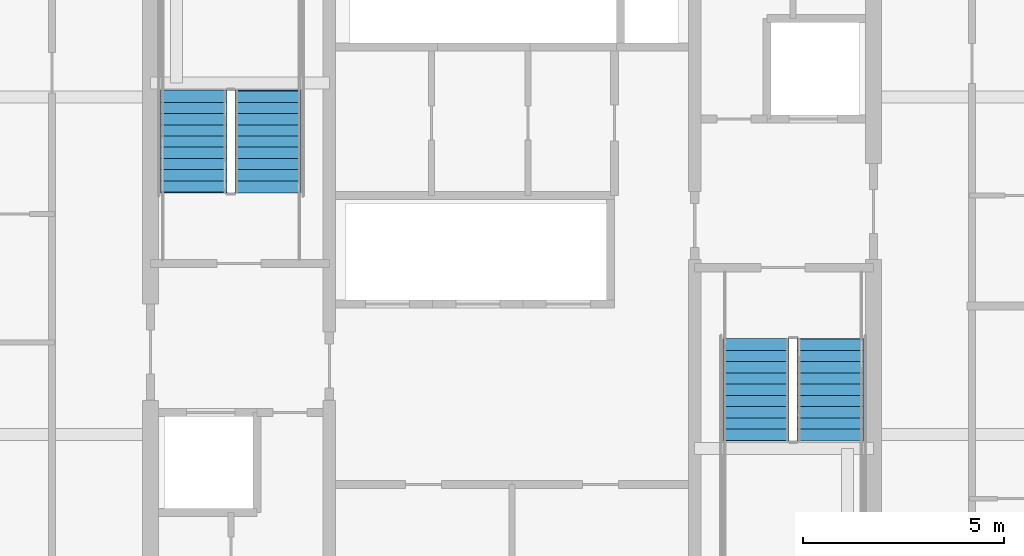
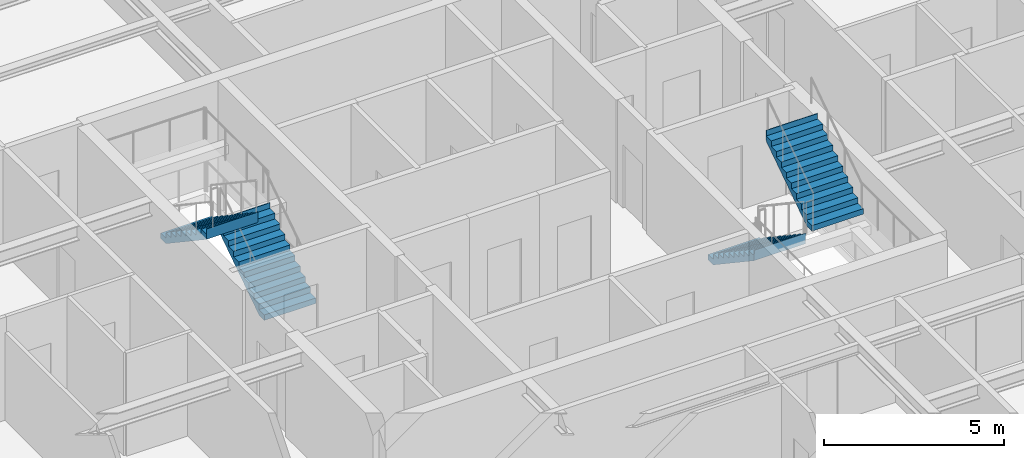
# One storey, part 32 of 37: 4 stair flights, 2 elements without a shape of their own.
"""IFC4 building model written with IfcOpenShell, lengths in metres."""

import ifcopenshell
import ifcopenshell.guid

model = None  # the IFC model being written
_history = None  # IfcOwnerHistory: only IFC2X3 demands one
_inside = {}  # id of a spatial element -> (the spatial element, [elements in it])
_under = {}  # id of a project, library or spatial element -> (it, [spatial elements below it])
_declared = {}  # id of a project -> (the project, [libraries it declares])
_typed = {}  # id of a type object -> (the type object, [elements of that type])
_made_of = {}  # id of a material, layer set ... -> (it, [elements and type objects made of it])


def new_model(schema):
    """Start an empty IFC model of exactly this schema.

    Asked for "IFC4X3", IfcOpenShell would pick the latest addendum, in which some entities
    have other attributes; the version numbers below select the first issue.
    IFC2X3 requires an IfcOwnerHistory on every rooted entity: one is made here for all.
    """
    global model, _history
    if schema == "IFC4X3":
        model = ifcopenshell.file(schema_version=(4, 3, 0, 0))
    else:
        model = ifcopenshell.file(schema=schema)
    _inside.clear()
    _under.clear()
    _declared.clear()
    _typed.clear()
    _made_of.clear()
    _history = None
    if model.schema == "IFC2X3":
        org = make("IfcOrganization", Name="unknown")
        user = make(
            "IfcPersonAndOrganization",
            ThePerson=make("IfcPerson", FamilyName="unknown"),
            TheOrganization=org,
        )
        app = make(
            "IfcApplication",
            ApplicationDeveloper=org,
            Version="unknown",
            ApplicationFullName="unknown",
            ApplicationIdentifier="unknown",
        )
        _history = make(
            "IfcOwnerHistory",
            OwningUser=user,
            OwningApplication=app,
            ChangeAction="ADDED",
            CreationDate=0,
        )
    return model


def make(cls, **values):
    """One entity of the class cls with the attributes given. An attribute that is None is left unset."""
    return model.create_entity(
        cls, **{name: value for name, value in values.items() if value is not None}
    )


def rooted(cls, **values):
    """An entity with a GlobalId (a new one), such as an element, a storey or a relation."""
    return make(cls, GlobalId=ifcopenshell.guid.new(), OwnerHistory=_history, **values)


def si_unit(unit_type, name, prefix=None):
    """IfcSIUnit, for example si_unit("LENGTHUNIT", "METRE", prefix="MILLI")."""
    return make("IfcSIUnit", UnitType=unit_type, Prefix=prefix, Name=name)


def assignment(units):
    """IfcUnitAssignment: the units of a project."""
    return None if units is None else make("IfcUnitAssignment", Units=units)


def point(xyz):
    """IfcCartesianPoint."""
    return None if xyz is None else make("IfcCartesianPoint", Coordinates=xyz)


def direction(xyz):
    """IfcDirection."""
    return None if xyz is None else make("IfcDirection", DirectionRatios=xyz)


def frame(location, z_axis=None, x_axis=None):
    """IfcAxis2Placement3D, a coordinate frame: its origin and axes. An axis left out is left unset."""
    return make(
        "IfcAxis2Placement3D",
        Location=point(location),
        Axis=direction(z_axis),
        RefDirection=direction(x_axis),
    )


def origin():
    """The frame at (0, 0, 0) with its axes left unset."""
    return frame((0.0, 0.0, 0.0))


def place(relative_to, where):
    """IfcLocalPlacement: puts the frame where relative to a parent placement (None: the world)."""
    return make(
        "IfcLocalPlacement", PlacementRelTo=relative_to, RelativePlacement=where
    )


def context(
    kind, dimensions, precision=None, world=None, true_north=None, identifier=None
):
    """IfcGeometricRepresentationContext, for example the 3D "Model" context."""
    return make(
        "IfcGeometricRepresentationContext",
        ContextIdentifier=identifier,
        ContextType=kind,
        CoordinateSpaceDimension=dimensions,
        Precision=precision,
        WorldCoordinateSystem=world,
        TrueNorth=true_north,
    )


def subcontext(parent, identifier, kind, view, scale=None):
    """IfcGeometricRepresentationSubContext, for example "Body" below "Model"."""
    return make(
        "IfcGeometricRepresentationSubContext",
        ContextIdentifier=identifier,
        ContextType=kind,
        ParentContext=parent,
        TargetScale=scale,
        TargetView=view,
    )


def project(units=None, contexts=None):
    """IfcProject with its units and contexts."""
    return rooted(
        "IfcProject",
        Name="project",
        RepresentationContexts=contexts,
        UnitsInContext=assignment(units),
    )


def spatial(cls, under=None, at=None, **own):
    """A site, building, storey or space (cls), placed at a placement, below another one or the project."""
    s = rooted(cls, ObjectPlacement=at, **own)
    if under is not None:
        _under.setdefault(under.id(), (under, []))[1].append(s)
    return s


def point_list(points):
    """IfcCartesianPointList2D or 3D."""
    cls = (
        "IfcCartesianPointList2D" if len(points[0]) == 2 else "IfcCartesianPointList3D"
    )
    return make(cls, CoordList=points)


def polygons(points, faces, closed=None, point_numbers=None):
    """IfcPolygonalFaceSet: a face is its outer loop, then its inner loops; points numbered from 1."""
    made = []
    for loops in faces:
        if len(loops) == 1:
            made.append(make("IfcIndexedPolygonalFace", CoordIndex=loops[0]))
        else:
            made.append(
                make(
                    "IfcIndexedPolygonalFaceWithVoids",
                    CoordIndex=loops[0],
                    InnerCoordIndices=loops[1:],
                )
            )
    return make(
        "IfcPolygonalFaceSet",
        Coordinates=point_list(points),
        Closed=closed,
        Faces=made,
        PnIndex=point_numbers,
    )


def shape(context_of_items, identifier, shape_type, items):
    """IfcShapeRepresentation: the items that make up one representation, for example the "Body"."""
    return make(
        "IfcShapeRepresentation",
        ContextOfItems=context_of_items,
        RepresentationIdentifier=identifier,
        RepresentationType=shape_type,
        Items=items,
    )


def material(Name=None, Category=None):
    """IfcMaterial."""
    return make("IfcMaterial", Name=Name, Category=Category)


def made_of(thing, what):
    """Note that an element or type object is made of a material, layer set ...; save() writes the relation."""
    if what is not None:
        _made_of.setdefault(what.id(), (what, []))[1].append(thing)
    return thing


def type_object(cls, material=None, **own):
    """A type object (cls), such as IfcWallType, which elements share."""
    return made_of(rooted(cls, **own), material)


def element(
    cls,
    number,
    at=None,
    inside=None,
    cuts=None,
    type_object=None,
    material=None,
    context=None,
    identifier="Body",
    shape_type=None,
    held_by="IfcProductDefinitionShape",
    body=None,
    shapes=None,
    **own,
):
    """One element of the class cls, such as IfcWall. Its Tag is "e" and its number.

    at: its placement. inside: the storey or other place that contains it. cuts: it is an
    opening in that element (IfcRelVoidsElement). A single representation is given by context,
    identifier, shape_type and body (its items); several are given by shapes. held_by: the class
    of the entity that holds the representations. save() writes the other relations.
    """
    e = rooted(cls, Tag="e%d" % number, ObjectPlacement=at, **own)
    if body is not None:
        shapes = [shape(context, identifier, shape_type, body)]
    if shapes is not None:
        e.Representation = make(held_by, Representations=shapes)
    if inside is not None:
        _inside.setdefault(inside.id(), (inside, []))[1].append(e)
    if cuts is not None:
        rooted(
            "IfcRelVoidsElement", RelatingBuildingElement=cuts, RelatedOpeningElement=e
        )
    if type_object is not None:
        _typed.setdefault(type_object.id(), (type_object, []))[1].append(e)
    return made_of(e, material)


def aggregate(whole, parts):
    """IfcRelAggregates: a whole, such as a stair, and the parts it consists of."""
    return rooted("IfcRelAggregates", RelatingObject=whole, RelatedObjects=parts)


def save(model, path):
    """Write the relations noted so far, then the file.

    IfcRelAggregates (storeys below a building ...), IfcRelContainedInSpatialStructure (elements
    in a storey), IfcRelDefinesByType, IfcRelAssociatesMaterial and IfcRelDeclares: one each for
    every whole, place, type object, material and project.
    """
    for whole, parts in _under.values():
        aggregate(whole, parts)
    for where, things in _inside.values():
        rooted(
            "IfcRelContainedInSpatialStructure",
            RelatedElements=things,
            RelatingStructure=where,
        )
    for kind, things in _typed.values():
        rooted("IfcRelDefinesByType", RelatedObjects=things, RelatingType=kind)
    for what, things in _made_of.values():
        rooted("IfcRelAssociatesMaterial", RelatedObjects=things, RelatingMaterial=what)
    for by, libraries in _declared.values():
        rooted("IfcRelDeclares", RelatingContext=by, RelatedDefinitions=libraries)
    model.write(path)


model = new_model("IFC4")

# Units and contexts
model_context = context("Model", 3, precision=1e-05, world=origin(), true_north=direction((0.0, 1.0)))
body_context = subcontext(model_context, "Body", "Model", "MODEL_VIEW")
ifc_project = project(units=[si_unit("LENGTHUNIT", "METRE"), si_unit("AREAUNIT", "SQUARE_METRE"), si_unit("VOLUMEUNIT", "CUBIC_METRE"), si_unit("PLANEANGLEUNIT", "RADIAN"), si_unit("MASSUNIT", "GRAM", prefix="KILO")], contexts=[model_context])

# Site, building, storey
site_placement = place(None, origin())
site = spatial("IfcSite", under=ifc_project, at=site_placement, CompositionType="ELEMENT")
building_placement = place(site_placement, origin())
building = spatial("IfcBuilding", under=site, at=building_placement, Name="Serunith Strait Residences", CompositionType="ELEMENT")
storey_placement = place(building_placement, frame((0.0, 0.0, 138.89990234375)))
storey = spatial("IfcBuildingStorey", under=building, at=storey_placement, Name="L34", CompositionType="ELEMENT", Elevation=138.89990234375)

# Stair, stair flights
ifc_material = material(Name="Concrete C50/60", Category="concrete")
stair_type_1 = type_object("IfcStairType", Name="STR-CORE-1", PredefinedType="HALF_TURN_STAIR", material=ifc_material)
stair_1_placement = place(storey_placement, origin())
stair_1 = element("IfcStair", 1, at=stair_1_placement, inside=storey, type_object=stair_type_1, Name="L34 Protected Escape Stair ST-1", PredefinedType="HALF_TURN_STAIR")
stair_flight_type_1 = type_object("IfcStairFlightType", Name="FLT-CORE-1", PredefinedType="STRAIGHT", material=ifc_material)
stair_flight_1_placement = place(storey_placement, frame((26.324951171875, 27.030029296875, 0.0), z_axis=(0.0, 0.0, 1.0), x_axis=(0.0, 1.0, 0.0)))
stair_flight_1 = element("IfcStairFlight", 2, at=stair_flight_1_placement, type_object=stair_flight_type_1, Name="ST-1 flight 1", NumberOfRisers=10, NumberOfTreads=9, PredefinedType="STRAIGHT", RiserHeight=0.1875, TreadLength=0.28, context=body_context, shape_type="Tessellation", body=[
    polygons([(-0.02001953125, -0.824951171875, 0.0), (-0.02001953125, -0.824951171875, 0.1875), (0.280029296875, -0.824951171875, 0.1875), (0.280029296875, -0.824951171875, 0.375), (0.56005859375, -0.824951171875, 0.375), (0.56005859375, -0.824951171875, 0.5625), (0.840087890625, -0.824951171875, 0.5625), (0.840087890625, -0.824951171875, 0.75), (1.1201171875, -0.824951171875, 0.75), (1.1201171875, -0.824951171875, 0.9375), (1.39990234375, -0.824951171875, 0.9375), (1.39990234375, -0.824951171875, 1.125), (1.679931640625, -0.824951171875, 1.125), (1.679931640625, -0.824951171875, 1.3125), (1.9599609375, -0.824951171875, 1.3125), (1.9599609375, -0.824951171875, 1.5), (2.239990234375, -0.824951171875, 1.5), (2.239990234375, -0.824951171875, 1.6875), (2.52001953125, -0.824951171875, 1.6875), (2.52001953125, -0.824951171875, 1.875), (2.5400390625, -0.824951171875, 1.875), (2.5400390625, -0.824951171875, 1.81494140625), (2.52001953125, -0.824951171875, 1.507080078125), (0.26953125, -0.824951171875, 0.0), (-0.02001953125, -0.41259765625, 0.0), (-0.02001953125, -0.41259765625, 0.1875), (0.280029296875, -0.41259765625, 0.1875), (0.280029296875, -0.41259765625, 0.375), (0.56005859375, -0.41259765625, 0.375), (0.56005859375, -0.41259765625, 0.5625), (0.840087890625, -0.41259765625, 0.5625), (0.840087890625, -0.41259765625, 0.75), (1.1201171875, -0.41259765625, 0.75), (1.1201171875, -0.41259765625, 0.9375), (1.39990234375, -0.41259765625, 0.9375), (1.39990234375, -0.41259765625, 1.125), (1.679931640625, -0.41259765625, 1.125), (1.679931640625, -0.41259765625, 1.3125), (1.9599609375, -0.41259765625, 1.3125), (1.9599609375, -0.41259765625, 1.5), (2.239990234375, -0.41259765625, 1.5), (2.239990234375, -0.41259765625, 1.6875), (2.52001953125, -0.41259765625, 1.6875), (2.52001953125, -0.41259765625, 1.875), (2.5400390625, -0.41259765625, 1.875), (2.5400390625, -0.41259765625, 1.81494140625), (2.52001953125, -0.41259765625, 1.507080078125), (0.26953125, -0.41259765625, 0.0), (-0.02001953125, 0.0, 0.0), (-0.02001953125, 0.0, 0.1875), (0.280029296875, 0.0, 0.1875), (0.280029296875, 0.0, 0.375), (0.56005859375, 0.0, 0.375), (0.56005859375, 0.0, 0.5625), (0.840087890625, 0.0, 0.5625), (0.840087890625, 0.0, 0.75), (1.1201171875, 0.0, 0.75), (1.1201171875, 0.0, 0.9375), (1.39990234375, 0.0, 0.9375), (1.39990234375, 0.0, 1.125), (1.679931640625, 0.0, 1.125), (1.679931640625, 0.0, 1.3125), (1.9599609375, 0.0, 1.3125), (1.9599609375, 0.0, 1.5), (2.239990234375, 0.0, 1.5), (2.239990234375, 0.0, 1.6875), (2.52001953125, 0.0, 1.6875), (2.52001953125, 0.0, 1.875), (2.5400390625, 0.0, 1.875), (2.5400390625, 0.0, 1.81494140625), (2.52001953125, 0.0, 1.507080078125), (0.26953125, 0.0, 0.0), (-0.02001953125, 0.41259765625, 0.0), (-0.02001953125, 0.41259765625, 0.1875), (0.280029296875, 0.41259765625, 0.1875), (0.280029296875, 0.41259765625, 0.375), (0.56005859375, 0.41259765625, 0.375), (0.56005859375, 0.41259765625, 0.5625), (0.840087890625, 0.41259765625, 0.5625), (0.840087890625, 0.41259765625, 0.75), (1.1201171875, 0.41259765625, 0.75), (1.1201171875, 0.41259765625, 0.9375), (1.39990234375, 0.41259765625, 0.9375), (1.39990234375, 0.41259765625, 1.125), (1.679931640625, 0.41259765625, 1.125), (1.679931640625, 0.41259765625, 1.3125), (1.9599609375, 0.41259765625, 1.3125), (1.9599609375, 0.41259765625, 1.5), (2.239990234375, 0.41259765625, 1.5), (2.239990234375, 0.41259765625, 1.6875), (2.52001953125, 0.41259765625, 1.6875), (2.52001953125, 0.41259765625, 1.875), (2.5400390625, 0.41259765625, 1.875), (2.5400390625, 0.41259765625, 1.81494140625), (2.52001953125, 0.41259765625, 1.507080078125), (0.26953125, 0.41259765625, 0.0), (-0.02001953125, 0.824951171875, 0.0), (-0.02001953125, 0.824951171875, 0.1875), (0.280029296875, 0.824951171875, 0.1875), (0.280029296875, 0.824951171875, 0.375), (0.56005859375, 0.824951171875, 0.375), (0.56005859375, 0.824951171875, 0.5625), (0.840087890625, 0.824951171875, 0.5625), (0.840087890625, 0.824951171875, 0.75), (1.1201171875, 0.824951171875, 0.75), (1.1201171875, 0.824951171875, 0.9375), (1.39990234375, 0.824951171875, 0.9375), (1.39990234375, 0.824951171875, 1.125), (1.679931640625, 0.824951171875, 1.125), (1.679931640625, 0.824951171875, 1.3125), (1.9599609375, 0.824951171875, 1.3125), (1.9599609375, 0.824951171875, 1.5), (2.239990234375, 0.824951171875, 1.5), (2.239990234375, 0.824951171875, 1.6875), (2.52001953125, 0.824951171875, 1.6875), (2.52001953125, 0.824951171875, 1.875), (2.5400390625, 0.824951171875, 1.875), (2.5400390625, 0.824951171875, 1.81494140625), (2.52001953125, 0.824951171875, 1.507080078125), (0.26953125, 0.824951171875, 0.0)], [[[1, 2, 26, 25]], [[2, 3, 27, 26]], [[3, 4, 28, 27]], [[4, 5, 29, 28]], [[5, 6, 30, 29]], [[6, 7, 31, 30]], [[7, 8, 32, 31]], [[8, 9, 33, 32]], [[9, 10, 34, 33]], [[10, 11, 35, 34]], [[11, 12, 36, 35]], [[12, 13, 37, 36]], [[13, 14, 38, 37]], [[14, 15, 39, 38]], [[15, 16, 40, 39]], [[16, 17, 41, 40]], [[17, 18, 42, 41]], [[18, 19, 43, 42]], [[19, 20, 44, 43]], [[20, 21, 45, 44]], [[21, 22, 46, 45]], [[22, 23, 47, 46]], [[23, 24, 48, 47]], [[24, 1, 25, 48]], [[25, 26, 50, 49]], [[26, 27, 51, 50]], [[27, 28, 52, 51]], [[28, 29, 53, 52]], [[29, 30, 54, 53]], [[30, 31, 55, 54]], [[31, 32, 56, 55]], [[32, 33, 57, 56]], [[33, 34, 58, 57]], [[34, 35, 59, 58]], [[35, 36, 60, 59]], [[36, 37, 61, 60]], [[37, 38, 62, 61]], [[38, 39, 63, 62]], [[39, 40, 64, 63]], [[40, 41, 65, 64]], [[41, 42, 66, 65]], [[42, 43, 67, 66]], [[43, 44, 68, 67]], [[44, 45, 69, 68]], [[45, 46, 70, 69]], [[46, 47, 71, 70]], [[47, 48, 72, 71]], [[48, 25, 49, 72]], [[49, 50, 74, 73]], [[50, 51, 75, 74]], [[51, 52, 76, 75]], [[52, 53, 77, 76]], [[53, 54, 78, 77]], [[54, 55, 79, 78]], [[55, 56, 80, 79]], [[56, 57, 81, 80]], [[57, 58, 82, 81]], [[58, 59, 83, 82]], [[59, 60, 84, 83]], [[60, 61, 85, 84]], [[61, 62, 86, 85]], [[62, 63, 87, 86]], [[63, 64, 88, 87]], [[64, 65, 89, 88]], [[65, 66, 90, 89]], [[66, 67, 91, 90]], [[67, 68, 92, 91]], [[68, 69, 93, 92]], [[69, 70, 94, 93]], [[70, 71, 95, 94]], [[71, 72, 96, 95]], [[72, 49, 73, 96]], [[73, 74, 98, 97]], [[74, 75, 99, 98]], [[75, 76, 100, 99]], [[76, 77, 101, 100]], [[77, 78, 102, 101]], [[78, 79, 103, 102]], [[79, 80, 104, 103]], [[80, 81, 105, 104]], [[81, 82, 106, 105]], [[82, 83, 107, 106]], [[83, 84, 108, 107]], [[84, 85, 109, 108]], [[85, 86, 110, 109]], [[86, 87, 111, 110]], [[87, 88, 112, 111]], [[88, 89, 113, 112]], [[89, 90, 114, 113]], [[90, 91, 115, 114]], [[91, 92, 116, 115]], [[92, 93, 117, 116]], [[93, 94, 118, 117]], [[94, 95, 119, 118]], [[95, 96, 120, 119]], [[96, 73, 97, 120]], [[24, 23, 22, 21, 20, 19, 18, 17, 16, 15, 14, 13, 12, 11, 10, 9, 8, 7, 6, 5, 4, 3, 2, 1]], [[97, 98, 99, 100, 101, 102, 103, 104, 105, 106, 107, 108, 109, 110, 111, 112, 113, 114, 115, 116, 117, 118, 119, 120]]], closed=True),
])
stair_flight_2_placement = place(storey_placement, frame((24.47509765625, 29.550048828125, 1.875), z_axis=(0.0, 0.0, 1.0), x_axis=(0.0, -1.0, 0.0)))
stair_flight_2 = element("IfcStairFlight", 3, at=stair_flight_2_placement, type_object=stair_flight_type_1, Name="ST-1 flight 2", NumberOfRisers=10, NumberOfTreads=9, PredefinedType="STRAIGHT", RiserHeight=0.1875, TreadLength=0.28, context=body_context, shape_type="Tessellation", body=[
    polygons([(-0.02001953125, -0.824951171875, 0.0), (-0.02001953125, -0.824951171875, 0.1875), (0.280029296875, -0.824951171875, 0.1875), (0.280029296875, -0.824951171875, 0.375), (0.56005859375, -0.824951171875, 0.375), (0.56005859375, -0.824951171875, 0.5625), (0.840087890625, -0.824951171875, 0.5625), (0.840087890625, -0.824951171875, 0.75), (1.1201171875, -0.824951171875, 0.75), (1.1201171875, -0.824951171875, 0.9375), (1.39990234375, -0.824951171875, 0.9375), (1.39990234375, -0.824951171875, 1.125), (1.679931640625, -0.824951171875, 1.125), (1.679931640625, -0.824951171875, 1.3125), (1.9599609375, -0.824951171875, 1.3125), (1.9599609375, -0.824951171875, 1.5), (2.239990234375, -0.824951171875, 1.5), (2.239990234375, -0.824951171875, 1.6875), (2.52001953125, -0.824951171875, 1.6875), (2.52001953125, -0.824951171875, 1.875), (2.5400390625, -0.824951171875, 1.875), (2.5400390625, -0.824951171875, 1.81494140625), (2.52001953125, -0.824951171875, 1.507080078125), (0.26953125, -0.824951171875, 0.0), (-0.02001953125, -0.41259765625, 0.0), (-0.02001953125, -0.41259765625, 0.1875), (0.280029296875, -0.41259765625, 0.1875), (0.280029296875, -0.41259765625, 0.375), (0.56005859375, -0.41259765625, 0.375), (0.56005859375, -0.41259765625, 0.5625), (0.840087890625, -0.41259765625, 0.5625), (0.840087890625, -0.41259765625, 0.75), (1.1201171875, -0.41259765625, 0.75), (1.1201171875, -0.41259765625, 0.9375), (1.39990234375, -0.41259765625, 0.9375), (1.39990234375, -0.41259765625, 1.125), (1.679931640625, -0.41259765625, 1.125), (1.679931640625, -0.41259765625, 1.3125), (1.9599609375, -0.41259765625, 1.3125), (1.9599609375, -0.41259765625, 1.5), (2.239990234375, -0.41259765625, 1.5), (2.239990234375, -0.41259765625, 1.6875), (2.52001953125, -0.41259765625, 1.6875), (2.52001953125, -0.41259765625, 1.875), (2.5400390625, -0.41259765625, 1.875), (2.5400390625, -0.41259765625, 1.81494140625), (2.52001953125, -0.41259765625, 1.507080078125), (0.26953125, -0.41259765625, 0.0), (-0.02001953125, 0.0, 0.0), (-0.02001953125, 0.0, 0.1875), (0.280029296875, 0.0, 0.1875), (0.280029296875, 0.0, 0.375), (0.56005859375, 0.0, 0.375), (0.56005859375, 0.0, 0.5625), (0.840087890625, 0.0, 0.5625), (0.840087890625, 0.0, 0.75), (1.1201171875, 0.0, 0.75), (1.1201171875, 0.0, 0.9375), (1.39990234375, 0.0, 0.9375), (1.39990234375, 0.0, 1.125), (1.679931640625, 0.0, 1.125), (1.679931640625, 0.0, 1.3125), (1.9599609375, 0.0, 1.3125), (1.9599609375, 0.0, 1.5), (2.239990234375, 0.0, 1.5), (2.239990234375, 0.0, 1.6875), (2.52001953125, 0.0, 1.6875), (2.52001953125, 0.0, 1.875), (2.5400390625, 0.0, 1.875), (2.5400390625, 0.0, 1.81494140625), (2.52001953125, 0.0, 1.507080078125), (0.26953125, 0.0, 0.0), (-0.02001953125, 0.41259765625, 0.0), (-0.02001953125, 0.41259765625, 0.1875), (0.280029296875, 0.41259765625, 0.1875), (0.280029296875, 0.41259765625, 0.375), (0.56005859375, 0.41259765625, 0.375), (0.56005859375, 0.41259765625, 0.5625), (0.840087890625, 0.41259765625, 0.5625), (0.840087890625, 0.41259765625, 0.75), (1.1201171875, 0.41259765625, 0.75), (1.1201171875, 0.41259765625, 0.9375), (1.39990234375, 0.41259765625, 0.9375), (1.39990234375, 0.41259765625, 1.125), (1.679931640625, 0.41259765625, 1.125), (1.679931640625, 0.41259765625, 1.3125), (1.9599609375, 0.41259765625, 1.3125), (1.9599609375, 0.41259765625, 1.5), (2.239990234375, 0.41259765625, 1.5), (2.239990234375, 0.41259765625, 1.6875), (2.52001953125, 0.41259765625, 1.6875), (2.52001953125, 0.41259765625, 1.875), (2.5400390625, 0.41259765625, 1.875), (2.5400390625, 0.41259765625, 1.81494140625), (2.52001953125, 0.41259765625, 1.507080078125), (0.26953125, 0.41259765625, 0.0), (-0.02001953125, 0.824951171875, 0.0), (-0.02001953125, 0.824951171875, 0.1875), (0.280029296875, 0.824951171875, 0.1875), (0.280029296875, 0.824951171875, 0.375), (0.56005859375, 0.824951171875, 0.375), (0.56005859375, 0.824951171875, 0.5625), (0.840087890625, 0.824951171875, 0.5625), (0.840087890625, 0.824951171875, 0.75), (1.1201171875, 0.824951171875, 0.75), (1.1201171875, 0.824951171875, 0.9375), (1.39990234375, 0.824951171875, 0.9375), (1.39990234375, 0.824951171875, 1.125), (1.679931640625, 0.824951171875, 1.125), (1.679931640625, 0.824951171875, 1.3125), (1.9599609375, 0.824951171875, 1.3125), (1.9599609375, 0.824951171875, 1.5), (2.239990234375, 0.824951171875, 1.5), (2.239990234375, 0.824951171875, 1.6875), (2.52001953125, 0.824951171875, 1.6875), (2.52001953125, 0.824951171875, 1.875), (2.5400390625, 0.824951171875, 1.875), (2.5400390625, 0.824951171875, 1.81494140625), (2.52001953125, 0.824951171875, 1.507080078125), (0.26953125, 0.824951171875, 0.0)], [[[1, 2, 26, 25]], [[2, 3, 27, 26]], [[3, 4, 28, 27]], [[4, 5, 29, 28]], [[5, 6, 30, 29]], [[6, 7, 31, 30]], [[7, 8, 32, 31]], [[8, 9, 33, 32]], [[9, 10, 34, 33]], [[10, 11, 35, 34]], [[11, 12, 36, 35]], [[12, 13, 37, 36]], [[13, 14, 38, 37]], [[14, 15, 39, 38]], [[15, 16, 40, 39]], [[16, 17, 41, 40]], [[17, 18, 42, 41]], [[18, 19, 43, 42]], [[19, 20, 44, 43]], [[20, 21, 45, 44]], [[21, 22, 46, 45]], [[22, 23, 47, 46]], [[23, 24, 48, 47]], [[24, 1, 25, 48]], [[25, 26, 50, 49]], [[26, 27, 51, 50]], [[27, 28, 52, 51]], [[28, 29, 53, 52]], [[29, 30, 54, 53]], [[30, 31, 55, 54]], [[31, 32, 56, 55]], [[32, 33, 57, 56]], [[33, 34, 58, 57]], [[34, 35, 59, 58]], [[35, 36, 60, 59]], [[36, 37, 61, 60]], [[37, 38, 62, 61]], [[38, 39, 63, 62]], [[39, 40, 64, 63]], [[40, 41, 65, 64]], [[41, 42, 66, 65]], [[42, 43, 67, 66]], [[43, 44, 68, 67]], [[44, 45, 69, 68]], [[45, 46, 70, 69]], [[46, 47, 71, 70]], [[47, 48, 72, 71]], [[48, 25, 49, 72]], [[49, 50, 74, 73]], [[50, 51, 75, 74]], [[51, 52, 76, 75]], [[52, 53, 77, 76]], [[53, 54, 78, 77]], [[54, 55, 79, 78]], [[55, 56, 80, 79]], [[56, 57, 81, 80]], [[57, 58, 82, 81]], [[58, 59, 83, 82]], [[59, 60, 84, 83]], [[60, 61, 85, 84]], [[61, 62, 86, 85]], [[62, 63, 87, 86]], [[63, 64, 88, 87]], [[64, 65, 89, 88]], [[65, 66, 90, 89]], [[66, 67, 91, 90]], [[67, 68, 92, 91]], [[68, 69, 93, 92]], [[69, 70, 94, 93]], [[70, 71, 95, 94]], [[71, 72, 96, 95]], [[72, 49, 73, 96]], [[73, 74, 98, 97]], [[74, 75, 99, 98]], [[75, 76, 100, 99]], [[76, 77, 101, 100]], [[77, 78, 102, 101]], [[78, 79, 103, 102]], [[79, 80, 104, 103]], [[80, 81, 105, 104]], [[81, 82, 106, 105]], [[82, 83, 107, 106]], [[83, 84, 108, 107]], [[84, 85, 109, 108]], [[85, 86, 110, 109]], [[86, 87, 111, 110]], [[87, 88, 112, 111]], [[88, 89, 113, 112]], [[89, 90, 114, 113]], [[90, 91, 115, 114]], [[91, 92, 116, 115]], [[92, 93, 117, 116]], [[93, 94, 118, 117]], [[94, 95, 119, 118]], [[95, 96, 120, 119]], [[96, 73, 97, 120]], [[24, 23, 22, 21, 20, 19, 18, 17, 16, 15, 14, 13, 12, 11, 10, 9, 8, 7, 6, 5, 4, 3, 2, 1]], [[97, 98, 99, 100, 101, 102, 103, 104, 105, 106, 107, 108, 109, 110, 111, 112, 113, 114, 115, 116, 117, 118, 119, 120]]], closed=True),
])
aggregate(stair_1, [stair_flight_1, stair_flight_2])

stair_type_2 = type_object("IfcStairType", Name="STR-CORE-2", PredefinedType="HALF_TURN_STAIR", material=ifc_material)
stair_2_placement = place(storey_placement, origin())
stair_2 = element("IfcStair", 4, at=stair_2_placement, inside=storey, type_object=stair_type_2, Name="L34 Protected Escape Stair ST-2", PredefinedType="HALF_TURN_STAIR")
stair_flight_type_2 = type_object("IfcStairFlightType", Name="FLT-CORE-2", PredefinedType="STRAIGHT", material=ifc_material)
stair_flight_3_placement = place(storey_placement, frame((38.47509765625, 23.3701171875, 0.0), z_axis=(0.0, 0.0, 1.0), x_axis=(0.0, -1.0, 0.0)))
stair_flight_3 = element("IfcStairFlight", 5, at=stair_flight_3_placement, type_object=stair_flight_type_2, Name="ST-2 flight 1", NumberOfRisers=10, NumberOfTreads=9, PredefinedType="STRAIGHT", RiserHeight=0.1875, TreadLength=0.28, context=body_context, shape_type="Tessellation", body=[
    polygons([(-0.02001953125, -0.824951171875, 0.0), (-0.02001953125, -0.824951171875, 0.1875), (0.280029296875, -0.824951171875, 0.1875), (0.280029296875, -0.824951171875, 0.375), (0.56005859375, -0.824951171875, 0.375), (0.56005859375, -0.824951171875, 0.5625), (0.840087890625, -0.824951171875, 0.5625), (0.840087890625, -0.824951171875, 0.75), (1.1201171875, -0.824951171875, 0.75), (1.1201171875, -0.824951171875, 0.9375), (1.39990234375, -0.824951171875, 0.9375), (1.39990234375, -0.824951171875, 1.125), (1.679931640625, -0.824951171875, 1.125), (1.679931640625, -0.824951171875, 1.3125), (1.9599609375, -0.824951171875, 1.3125), (1.9599609375, -0.824951171875, 1.5), (2.239990234375, -0.824951171875, 1.5), (2.239990234375, -0.824951171875, 1.6875), (2.52001953125, -0.824951171875, 1.6875), (2.52001953125, -0.824951171875, 1.875), (2.5400390625, -0.824951171875, 1.875), (2.5400390625, -0.824951171875, 1.81494140625), (2.52001953125, -0.824951171875, 1.507080078125), (0.26953125, -0.824951171875, 0.0), (-0.02001953125, -0.41259765625, 0.0), (-0.02001953125, -0.41259765625, 0.1875), (0.280029296875, -0.41259765625, 0.1875), (0.280029296875, -0.41259765625, 0.375), (0.56005859375, -0.41259765625, 0.375), (0.56005859375, -0.41259765625, 0.5625), (0.840087890625, -0.41259765625, 0.5625), (0.840087890625, -0.41259765625, 0.75), (1.1201171875, -0.41259765625, 0.75), (1.1201171875, -0.41259765625, 0.9375), (1.39990234375, -0.41259765625, 0.9375), (1.39990234375, -0.41259765625, 1.125), (1.679931640625, -0.41259765625, 1.125), (1.679931640625, -0.41259765625, 1.3125), (1.9599609375, -0.41259765625, 1.3125), (1.9599609375, -0.41259765625, 1.5), (2.239990234375, -0.41259765625, 1.5), (2.239990234375, -0.41259765625, 1.6875), (2.52001953125, -0.41259765625, 1.6875), (2.52001953125, -0.41259765625, 1.875), (2.5400390625, -0.41259765625, 1.875), (2.5400390625, -0.41259765625, 1.81494140625), (2.52001953125, -0.41259765625, 1.507080078125), (0.26953125, -0.41259765625, 0.0), (-0.02001953125, 0.0, 0.0), (-0.02001953125, 0.0, 0.1875), (0.280029296875, 0.0, 0.1875), (0.280029296875, 0.0, 0.375), (0.56005859375, 0.0, 0.375), (0.56005859375, 0.0, 0.5625), (0.840087890625, 0.0, 0.5625), (0.840087890625, 0.0, 0.75), (1.1201171875, 0.0, 0.75), (1.1201171875, 0.0, 0.9375), (1.39990234375, 0.0, 0.9375), (1.39990234375, 0.0, 1.125), (1.679931640625, 0.0, 1.125), (1.679931640625, 0.0, 1.3125), (1.9599609375, 0.0, 1.3125), (1.9599609375, 0.0, 1.5), (2.239990234375, 0.0, 1.5), (2.239990234375, 0.0, 1.6875), (2.52001953125, 0.0, 1.6875), (2.52001953125, 0.0, 1.875), (2.5400390625, 0.0, 1.875), (2.5400390625, 0.0, 1.81494140625), (2.52001953125, 0.0, 1.507080078125), (0.26953125, 0.0, 0.0), (-0.02001953125, 0.41259765625, 0.0), (-0.02001953125, 0.41259765625, 0.1875), (0.280029296875, 0.41259765625, 0.1875), (0.280029296875, 0.41259765625, 0.375), (0.56005859375, 0.41259765625, 0.375), (0.56005859375, 0.41259765625, 0.5625), (0.840087890625, 0.41259765625, 0.5625), (0.840087890625, 0.41259765625, 0.75), (1.1201171875, 0.41259765625, 0.75), (1.1201171875, 0.41259765625, 0.9375), (1.39990234375, 0.41259765625, 0.9375), (1.39990234375, 0.41259765625, 1.125), (1.679931640625, 0.41259765625, 1.125), (1.679931640625, 0.41259765625, 1.3125), (1.9599609375, 0.41259765625, 1.3125), (1.9599609375, 0.41259765625, 1.5), (2.239990234375, 0.41259765625, 1.5), (2.239990234375, 0.41259765625, 1.6875), (2.52001953125, 0.41259765625, 1.6875), (2.52001953125, 0.41259765625, 1.875), (2.5400390625, 0.41259765625, 1.875), (2.5400390625, 0.41259765625, 1.81494140625), (2.52001953125, 0.41259765625, 1.507080078125), (0.26953125, 0.41259765625, 0.0), (-0.02001953125, 0.824951171875, 0.0), (-0.02001953125, 0.824951171875, 0.1875), (0.280029296875, 0.824951171875, 0.1875), (0.280029296875, 0.824951171875, 0.375), (0.56005859375, 0.824951171875, 0.375), (0.56005859375, 0.824951171875, 0.5625), (0.840087890625, 0.824951171875, 0.5625), (0.840087890625, 0.824951171875, 0.75), (1.1201171875, 0.824951171875, 0.75), (1.1201171875, 0.824951171875, 0.9375), (1.39990234375, 0.824951171875, 0.9375), (1.39990234375, 0.824951171875, 1.125), (1.679931640625, 0.824951171875, 1.125), (1.679931640625, 0.824951171875, 1.3125), (1.9599609375, 0.824951171875, 1.3125), (1.9599609375, 0.824951171875, 1.5), (2.239990234375, 0.824951171875, 1.5), (2.239990234375, 0.824951171875, 1.6875), (2.52001953125, 0.824951171875, 1.6875), (2.52001953125, 0.824951171875, 1.875), (2.5400390625, 0.824951171875, 1.875), (2.5400390625, 0.824951171875, 1.81494140625), (2.52001953125, 0.824951171875, 1.507080078125), (0.26953125, 0.824951171875, 0.0)], [[[1, 2, 26, 25]], [[2, 3, 27, 26]], [[3, 4, 28, 27]], [[4, 5, 29, 28]], [[5, 6, 30, 29]], [[6, 7, 31, 30]], [[7, 8, 32, 31]], [[8, 9, 33, 32]], [[9, 10, 34, 33]], [[10, 11, 35, 34]], [[11, 12, 36, 35]], [[12, 13, 37, 36]], [[13, 14, 38, 37]], [[14, 15, 39, 38]], [[15, 16, 40, 39]], [[16, 17, 41, 40]], [[17, 18, 42, 41]], [[18, 19, 43, 42]], [[19, 20, 44, 43]], [[20, 21, 45, 44]], [[21, 22, 46, 45]], [[22, 23, 47, 46]], [[23, 24, 48, 47]], [[24, 1, 25, 48]], [[25, 26, 50, 49]], [[26, 27, 51, 50]], [[27, 28, 52, 51]], [[28, 29, 53, 52]], [[29, 30, 54, 53]], [[30, 31, 55, 54]], [[31, 32, 56, 55]], [[32, 33, 57, 56]], [[33, 34, 58, 57]], [[34, 35, 59, 58]], [[35, 36, 60, 59]], [[36, 37, 61, 60]], [[37, 38, 62, 61]], [[38, 39, 63, 62]], [[39, 40, 64, 63]], [[40, 41, 65, 64]], [[41, 42, 66, 65]], [[42, 43, 67, 66]], [[43, 44, 68, 67]], [[44, 45, 69, 68]], [[45, 46, 70, 69]], [[46, 47, 71, 70]], [[47, 48, 72, 71]], [[48, 25, 49, 72]], [[49, 50, 74, 73]], [[50, 51, 75, 74]], [[51, 52, 76, 75]], [[52, 53, 77, 76]], [[53, 54, 78, 77]], [[54, 55, 79, 78]], [[55, 56, 80, 79]], [[56, 57, 81, 80]], [[57, 58, 82, 81]], [[58, 59, 83, 82]], [[59, 60, 84, 83]], [[60, 61, 85, 84]], [[61, 62, 86, 85]], [[62, 63, 87, 86]], [[63, 64, 88, 87]], [[64, 65, 89, 88]], [[65, 66, 90, 89]], [[66, 67, 91, 90]], [[67, 68, 92, 91]], [[68, 69, 93, 92]], [[69, 70, 94, 93]], [[70, 71, 95, 94]], [[71, 72, 96, 95]], [[72, 49, 73, 96]], [[73, 74, 98, 97]], [[74, 75, 99, 98]], [[75, 76, 100, 99]], [[76, 77, 101, 100]], [[77, 78, 102, 101]], [[78, 79, 103, 102]], [[79, 80, 104, 103]], [[80, 81, 105, 104]], [[81, 82, 106, 105]], [[82, 83, 107, 106]], [[83, 84, 108, 107]], [[84, 85, 109, 108]], [[85, 86, 110, 109]], [[86, 87, 111, 110]], [[87, 88, 112, 111]], [[88, 89, 113, 112]], [[89, 90, 114, 113]], [[90, 91, 115, 114]], [[91, 92, 116, 115]], [[92, 93, 117, 116]], [[93, 94, 118, 117]], [[94, 95, 119, 118]], [[95, 96, 120, 119]], [[96, 73, 97, 120]], [[24, 23, 22, 21, 20, 19, 18, 17, 16, 15, 14, 13, 12, 11, 10, 9, 8, 7, 6, 5, 4, 3, 2, 1]], [[97, 98, 99, 100, 101, 102, 103, 104, 105, 106, 107, 108, 109, 110, 111, 112, 113, 114, 115, 116, 117, 118, 119, 120]]], closed=True),
])
stair_flight_4_placement = place(storey_placement, frame((40.324951171875, 20.85009765625, 1.875), z_axis=(0.0, 0.0, 1.0), x_axis=(0.0, 1.0, 0.0)))
stair_flight_4 = element("IfcStairFlight", 6, at=stair_flight_4_placement, type_object=stair_flight_type_2, Name="ST-2 flight 2", NumberOfRisers=10, NumberOfTreads=9, PredefinedType="STRAIGHT", RiserHeight=0.1875, TreadLength=0.28, context=body_context, shape_type="Tessellation", body=[
    polygons([(-0.02001953125, -0.824951171875, 0.0), (-0.02001953125, -0.824951171875, 0.1875), (0.280029296875, -0.824951171875, 0.1875), (0.280029296875, -0.824951171875, 0.375), (0.56005859375, -0.824951171875, 0.375), (0.56005859375, -0.824951171875, 0.5625), (0.840087890625, -0.824951171875, 0.5625), (0.840087890625, -0.824951171875, 0.75), (1.1201171875, -0.824951171875, 0.75), (1.1201171875, -0.824951171875, 0.9375), (1.39990234375, -0.824951171875, 0.9375), (1.39990234375, -0.824951171875, 1.125), (1.679931640625, -0.824951171875, 1.125), (1.679931640625, -0.824951171875, 1.3125), (1.9599609375, -0.824951171875, 1.3125), (1.9599609375, -0.824951171875, 1.5), (2.239990234375, -0.824951171875, 1.5), (2.239990234375, -0.824951171875, 1.6875), (2.52001953125, -0.824951171875, 1.6875), (2.52001953125, -0.824951171875, 1.875), (2.5400390625, -0.824951171875, 1.875), (2.5400390625, -0.824951171875, 1.81494140625), (2.52001953125, -0.824951171875, 1.507080078125), (0.26953125, -0.824951171875, 0.0), (-0.02001953125, -0.41259765625, 0.0), (-0.02001953125, -0.41259765625, 0.1875), (0.280029296875, -0.41259765625, 0.1875), (0.280029296875, -0.41259765625, 0.375), (0.56005859375, -0.41259765625, 0.375), (0.56005859375, -0.41259765625, 0.5625), (0.840087890625, -0.41259765625, 0.5625), (0.840087890625, -0.41259765625, 0.75), (1.1201171875, -0.41259765625, 0.75), (1.1201171875, -0.41259765625, 0.9375), (1.39990234375, -0.41259765625, 0.9375), (1.39990234375, -0.41259765625, 1.125), (1.679931640625, -0.41259765625, 1.125), (1.679931640625, -0.41259765625, 1.3125), (1.9599609375, -0.41259765625, 1.3125), (1.9599609375, -0.41259765625, 1.5), (2.239990234375, -0.41259765625, 1.5), (2.239990234375, -0.41259765625, 1.6875), (2.52001953125, -0.41259765625, 1.6875), (2.52001953125, -0.41259765625, 1.875), (2.5400390625, -0.41259765625, 1.875), (2.5400390625, -0.41259765625, 1.81494140625), (2.52001953125, -0.41259765625, 1.507080078125), (0.26953125, -0.41259765625, 0.0), (-0.02001953125, 0.0, 0.0), (-0.02001953125, 0.0, 0.1875), (0.280029296875, 0.0, 0.1875), (0.280029296875, 0.0, 0.375), (0.56005859375, 0.0, 0.375), (0.56005859375, 0.0, 0.5625), (0.840087890625, 0.0, 0.5625), (0.840087890625, 0.0, 0.75), (1.1201171875, 0.0, 0.75), (1.1201171875, 0.0, 0.9375), (1.39990234375, 0.0, 0.9375), (1.39990234375, 0.0, 1.125), (1.679931640625, 0.0, 1.125), (1.679931640625, 0.0, 1.3125), (1.9599609375, 0.0, 1.3125), (1.9599609375, 0.0, 1.5), (2.239990234375, 0.0, 1.5), (2.239990234375, 0.0, 1.6875), (2.52001953125, 0.0, 1.6875), (2.52001953125, 0.0, 1.875), (2.5400390625, 0.0, 1.875), (2.5400390625, 0.0, 1.81494140625), (2.52001953125, 0.0, 1.507080078125), (0.26953125, 0.0, 0.0), (-0.02001953125, 0.41259765625, 0.0), (-0.02001953125, 0.41259765625, 0.1875), (0.280029296875, 0.41259765625, 0.1875), (0.280029296875, 0.41259765625, 0.375), (0.56005859375, 0.41259765625, 0.375), (0.56005859375, 0.41259765625, 0.5625), (0.840087890625, 0.41259765625, 0.5625), (0.840087890625, 0.41259765625, 0.75), (1.1201171875, 0.41259765625, 0.75), (1.1201171875, 0.41259765625, 0.9375), (1.39990234375, 0.41259765625, 0.9375), (1.39990234375, 0.41259765625, 1.125), (1.679931640625, 0.41259765625, 1.125), (1.679931640625, 0.41259765625, 1.3125), (1.9599609375, 0.41259765625, 1.3125), (1.9599609375, 0.41259765625, 1.5), (2.239990234375, 0.41259765625, 1.5), (2.239990234375, 0.41259765625, 1.6875), (2.52001953125, 0.41259765625, 1.6875), (2.52001953125, 0.41259765625, 1.875), (2.5400390625, 0.41259765625, 1.875), (2.5400390625, 0.41259765625, 1.81494140625), (2.52001953125, 0.41259765625, 1.507080078125), (0.26953125, 0.41259765625, 0.0), (-0.02001953125, 0.824951171875, 0.0), (-0.02001953125, 0.824951171875, 0.1875), (0.280029296875, 0.824951171875, 0.1875), (0.280029296875, 0.824951171875, 0.375), (0.56005859375, 0.824951171875, 0.375), (0.56005859375, 0.824951171875, 0.5625), (0.840087890625, 0.824951171875, 0.5625), (0.840087890625, 0.824951171875, 0.75), (1.1201171875, 0.824951171875, 0.75), (1.1201171875, 0.824951171875, 0.9375), (1.39990234375, 0.824951171875, 0.9375), (1.39990234375, 0.824951171875, 1.125), (1.679931640625, 0.824951171875, 1.125), (1.679931640625, 0.824951171875, 1.3125), (1.9599609375, 0.824951171875, 1.3125), (1.9599609375, 0.824951171875, 1.5), (2.239990234375, 0.824951171875, 1.5), (2.239990234375, 0.824951171875, 1.6875), (2.52001953125, 0.824951171875, 1.6875), (2.52001953125, 0.824951171875, 1.875), (2.5400390625, 0.824951171875, 1.875), (2.5400390625, 0.824951171875, 1.81494140625), (2.52001953125, 0.824951171875, 1.507080078125), (0.26953125, 0.824951171875, 0.0)], [[[1, 2, 26, 25]], [[2, 3, 27, 26]], [[3, 4, 28, 27]], [[4, 5, 29, 28]], [[5, 6, 30, 29]], [[6, 7, 31, 30]], [[7, 8, 32, 31]], [[8, 9, 33, 32]], [[9, 10, 34, 33]], [[10, 11, 35, 34]], [[11, 12, 36, 35]], [[12, 13, 37, 36]], [[13, 14, 38, 37]], [[14, 15, 39, 38]], [[15, 16, 40, 39]], [[16, 17, 41, 40]], [[17, 18, 42, 41]], [[18, 19, 43, 42]], [[19, 20, 44, 43]], [[20, 21, 45, 44]], [[21, 22, 46, 45]], [[22, 23, 47, 46]], [[23, 24, 48, 47]], [[24, 1, 25, 48]], [[25, 26, 50, 49]], [[26, 27, 51, 50]], [[27, 28, 52, 51]], [[28, 29, 53, 52]], [[29, 30, 54, 53]], [[30, 31, 55, 54]], [[31, 32, 56, 55]], [[32, 33, 57, 56]], [[33, 34, 58, 57]], [[34, 35, 59, 58]], [[35, 36, 60, 59]], [[36, 37, 61, 60]], [[37, 38, 62, 61]], [[38, 39, 63, 62]], [[39, 40, 64, 63]], [[40, 41, 65, 64]], [[41, 42, 66, 65]], [[42, 43, 67, 66]], [[43, 44, 68, 67]], [[44, 45, 69, 68]], [[45, 46, 70, 69]], [[46, 47, 71, 70]], [[47, 48, 72, 71]], [[48, 25, 49, 72]], [[49, 50, 74, 73]], [[50, 51, 75, 74]], [[51, 52, 76, 75]], [[52, 53, 77, 76]], [[53, 54, 78, 77]], [[54, 55, 79, 78]], [[55, 56, 80, 79]], [[56, 57, 81, 80]], [[57, 58, 82, 81]], [[58, 59, 83, 82]], [[59, 60, 84, 83]], [[60, 61, 85, 84]], [[61, 62, 86, 85]], [[62, 63, 87, 86]], [[63, 64, 88, 87]], [[64, 65, 89, 88]], [[65, 66, 90, 89]], [[66, 67, 91, 90]], [[67, 68, 92, 91]], [[68, 69, 93, 92]], [[69, 70, 94, 93]], [[70, 71, 95, 94]], [[71, 72, 96, 95]], [[72, 49, 73, 96]], [[73, 74, 98, 97]], [[74, 75, 99, 98]], [[75, 76, 100, 99]], [[76, 77, 101, 100]], [[77, 78, 102, 101]], [[78, 79, 103, 102]], [[79, 80, 104, 103]], [[80, 81, 105, 104]], [[81, 82, 106, 105]], [[82, 83, 107, 106]], [[83, 84, 108, 107]], [[84, 85, 109, 108]], [[85, 86, 110, 109]], [[86, 87, 111, 110]], [[87, 88, 112, 111]], [[88, 89, 113, 112]], [[89, 90, 114, 113]], [[90, 91, 115, 114]], [[91, 92, 116, 115]], [[92, 93, 117, 116]], [[93, 94, 118, 117]], [[94, 95, 119, 118]], [[95, 96, 120, 119]], [[96, 73, 97, 120]], [[24, 23, 22, 21, 20, 19, 18, 17, 16, 15, 14, 13, 12, 11, 10, 9, 8, 7, 6, 5, 4, 3, 2, 1]], [[97, 98, 99, 100, 101, 102, 103, 104, 105, 106, 107, 108, 109, 110, 111, 112, 113, 114, 115, 116, 117, 118, 119, 120]]], closed=True),
])
aggregate(stair_2, [stair_flight_3, stair_flight_4])

save(model, "model.ifc")
